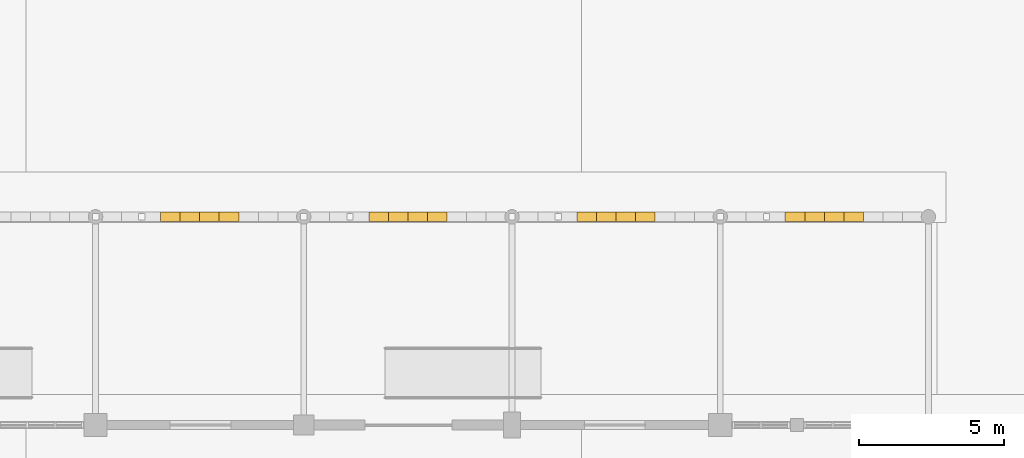
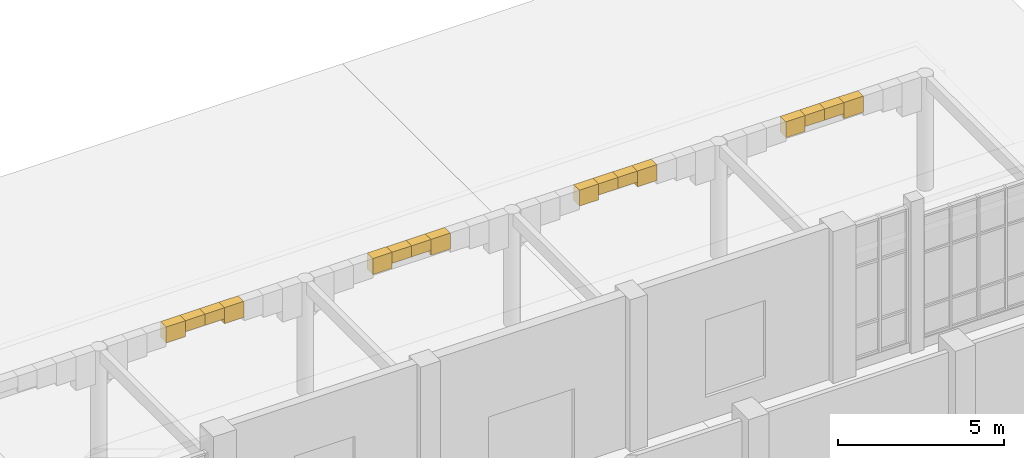
# One storey, part 85 of 85: 16 coverings.
"""IFC4 building model written with IfcOpenShell, lengths in metres."""

from ifc_helpers import new_model, si_unit, direction, frame, frame_2d, origin, place, context, subcontext, project, spatial, rectangle, extrude, material, layer, layer_set, type_object, element, save


model = new_model("IFC4")

# Units and contexts
model_context = context("Model", 3, precision=1e-05, world=origin(), true_north=direction((0.0, 1.0)))
body_context = subcontext(model_context, "Body", "Model", "MODEL_VIEW")
ifc_project = project(units=[si_unit("LENGTHUNIT", "METRE"), si_unit("AREAUNIT", "SQUARE_METRE"), si_unit("VOLUMEUNIT", "CUBIC_METRE"), si_unit("PLANEANGLEUNIT", "RADIAN"), si_unit("MASSUNIT", "GRAM", prefix="KILO")], contexts=[model_context])

# Site, building, storey
site_placement = place(None, origin())
site = spatial("IfcSite", under=ifc_project, at=site_placement, CompositionType="ELEMENT")
building_placement = place(site_placement, origin())
building = spatial("IfcBuilding", under=site, at=building_placement, Name="Sardonyx Promenade Sports Hall", CompositionType="ELEMENT")
storey_placement = place(building_placement, origin())
storey = spatial("IfcBuildingStorey", under=building, at=storey_placement, Name="L00", CompositionType="ELEMENT", Elevation=0.0)

# Coverings
ifc_material = material(Name="Carved Cape red sandstone ashlar", Category="masonry")
ifc_layer = layer(ifc_material, 0.239990234375)
ifc_layer_set = layer_set([ifc_layer], Name="Cov_Mughal_Arch")
covering_type = type_object("IfcCoveringType", Name="Cov_Mughal_Arch", PredefinedType="CLADDING", material=ifc_layer_set)
covering_1_placement = place(storey_placement, frame((131.847900390625, 93.60009765625, 3.63330078125), z_axis=(0.0, 0.0, 1.0), x_axis=(1.0, 0.0, 0.0)))
element("IfcCovering", 1, at=covering_1_placement, inside=storey, type_object=covering_type, Name="Mughal pointed-arch spandrel L00 cov:arch:ne:3 #4", PredefinedType="CLADDING", context=body_context, shape_type="SweptSolid", body=[
    extrude(rectangle(XDim=0.676025390625, YDim=0.340087890625, at=frame_2d((0.337890625, 0.0))), origin(), (0.0, 0.0, 1.0), 0.586669921875),
])
for number, where, z_axis, x_axis, name in (
    (2, (132.52392578125, 93.60009765625, 3.81103515625), (0.0, 0.0, 1.0), (1.0, 0.0, 0.0), "Mughal pointed-arch spandrel L00 cov:arch:ne:3 #5"),
    (3, (133.199951171875, 93.60009765625, 3.81103515625), (0.0, 0.0, 1.0), (1.0, 0.0, 0.0), "Mughal pointed-arch spandrel L00 cov:arch:ne:3 #6"),
):
    element("IfcCovering", number, at=place(storey_placement, frame(where, z_axis=z_axis, x_axis=x_axis)), inside=storey, type_object=covering_type, Name=name, PredefinedType="CLADDING", context=body_context, shape_type="SweptSolid", body=[
        extrude(rectangle(XDim=0.676025390625, YDim=0.340087890625, at=frame_2d((0.337890625, 0.0))), origin(), (0.0, 0.0, 1.0), 0.408935546875),
    ])
for number, where, z_axis, x_axis, name in (
    (4, (133.8759765625, 93.60009765625, 3.63330078125), (0.0, 0.0, 1.0), (1.0, 0.0, 0.0), "Mughal pointed-arch spandrel L00 cov:arch:ne:3 #7"),
    (5, (139.048095703125, 93.60009765625, 3.63330078125), (0.0, 0.0, 1.0), (1.0, 0.0, 0.0), "Mughal pointed-arch spandrel L00 cov:arch:ne:4 #4"),
):
    element("IfcCovering", number, at=place(storey_placement, frame(where, z_axis=z_axis, x_axis=x_axis)), inside=storey, type_object=covering_type, Name=name, PredefinedType="CLADDING", context=body_context, shape_type="SweptSolid", body=[
        extrude(rectangle(XDim=0.676025390625, YDim=0.340087890625, at=frame_2d((0.337890625, 0.0))), origin(), (0.0, 0.0, 1.0), 0.586669921875),
    ])
covering_2_placement = place(storey_placement, frame((139.72412109375, 93.60009765625, 3.81103515625), z_axis=(0.0, 0.0, 1.0), x_axis=(1.0, 0.0, 0.0)))
element("IfcCovering", 6, at=covering_2_placement, inside=storey, type_object=covering_type, Name="Mughal pointed-arch spandrel L00 cov:arch:ne:4 #5", PredefinedType="CLADDING", context=body_context, shape_type="SweptSolid", body=[
    extrude(rectangle(XDim=0.67578125, YDim=0.340087890625, at=frame_2d((0.337890625, 0.0))), origin(), (0.0, 0.0, 1.0), 0.408935546875),
])
covering_3_placement = place(storey_placement, frame((140.39990234375, 93.60009765625, 3.81103515625), z_axis=(0.0, 0.0, 1.0), x_axis=(1.0, 0.0, 0.0)))
element("IfcCovering", 7, at=covering_3_placement, inside=storey, type_object=covering_type, Name="Mughal pointed-arch spandrel L00 cov:arch:ne:4 #6", PredefinedType="CLADDING", context=body_context, shape_type="SweptSolid", body=[
    extrude(rectangle(XDim=0.676025390625, YDim=0.340087890625, at=frame_2d((0.337890625, 0.0))), origin(), (0.0, 0.0, 1.0), 0.408935546875),
])
for number, where, z_axis, x_axis, name in (
    (8, (141.075927734375, 93.60009765625, 3.63330078125), (0.0, 0.0, 1.0), (1.0, 0.0, 0.0), "Mughal pointed-arch spandrel L00 cov:arch:ne:4 #7"),
    (9, (146.248046875, 93.60009765625, 3.63330078125), (0.0, 0.0, 1.0), (1.0, 0.0, 0.0), "Mughal pointed-arch spandrel L00 cov:arch:ne:5 #4"),
):
    element("IfcCovering", number, at=place(storey_placement, frame(where, z_axis=z_axis, x_axis=x_axis)), inside=storey, type_object=covering_type, Name=name, PredefinedType="CLADDING", context=body_context, shape_type="SweptSolid", body=[
        extrude(rectangle(XDim=0.676025390625, YDim=0.340087890625, at=frame_2d((0.337890625, 0.0))), origin(), (0.0, 0.0, 1.0), 0.586669921875),
    ])
covering_4_placement = place(storey_placement, frame((146.924072265625, 93.60009765625, 3.81103515625), z_axis=(0.0, 0.0, 1.0), x_axis=(1.0, 0.0, 0.0)))
element("IfcCovering", 10, at=covering_4_placement, inside=storey, type_object=covering_type, Name="Mughal pointed-arch spandrel L00 cov:arch:ne:5 #5", PredefinedType="CLADDING", context=body_context, shape_type="SweptSolid", body=[
    extrude(rectangle(XDim=0.676025390625, YDim=0.340087890625, at=frame_2d((0.337890625, 0.0))), origin(), (0.0, 0.0, 1.0), 0.408935546875),
])
covering_5_placement = place(storey_placement, frame((147.60009765625, 93.60009765625, 3.81103515625), z_axis=(0.0, 0.0, 1.0), x_axis=(1.0, 0.0, 0.0)))
element("IfcCovering", 11, at=covering_5_placement, inside=storey, type_object=covering_type, Name="Mughal pointed-arch spandrel L00 cov:arch:ne:5 #6", PredefinedType="CLADDING", context=body_context, shape_type="SweptSolid", body=[
    extrude(rectangle(XDim=0.67578125, YDim=0.340087890625, at=frame_2d((0.337890625, 0.0))), origin(), (0.0, 0.0, 1.0), 0.408935546875),
])
for number, where, z_axis, x_axis, name in (
    (12, (148.27587890625, 93.60009765625, 3.63330078125), (0.0, 0.0, 1.0), (1.0, 0.0, 0.0), "Mughal pointed-arch spandrel L00 cov:arch:ne:5 #7"),
    (13, (153.447998046875, 93.60009765625, 3.63330078125), (0.0, 0.0, 1.0), (1.0, 0.0, 0.0), "Mughal pointed-arch spandrel L00 cov:arch:ne:6 #4"),
):
    element("IfcCovering", number, at=place(storey_placement, frame(where, z_axis=z_axis, x_axis=x_axis)), inside=storey, type_object=covering_type, Name=name, PredefinedType="CLADDING", context=body_context, shape_type="SweptSolid", body=[
        extrude(rectangle(XDim=0.676025390625, YDim=0.340087890625, at=frame_2d((0.337890625, 0.0))), origin(), (0.0, 0.0, 1.0), 0.586669921875),
    ])
for number, where, z_axis, x_axis, name in (
    (14, (154.1240234375, 93.60009765625, 3.81103515625), (0.0, 0.0, 1.0), (1.0, 0.0, 0.0), "Mughal pointed-arch spandrel L00 cov:arch:ne:6 #5"),
    (15, (154.800048828125, 93.60009765625, 3.81103515625), (0.0, 0.0, 1.0), (1.0, 0.0, 0.0), "Mughal pointed-arch spandrel L00 cov:arch:ne:6 #6"),
):
    element("IfcCovering", number, at=place(storey_placement, frame(where, z_axis=z_axis, x_axis=x_axis)), inside=storey, type_object=covering_type, Name=name, PredefinedType="CLADDING", context=body_context, shape_type="SweptSolid", body=[
        extrude(rectangle(XDim=0.676025390625, YDim=0.340087890625, at=frame_2d((0.337890625, 0.0))), origin(), (0.0, 0.0, 1.0), 0.408935546875),
    ])
covering_6_placement = place(storey_placement, frame((155.47607421875, 93.60009765625, 3.63330078125), z_axis=(0.0, 0.0, 1.0), x_axis=(1.0, 0.0, 0.0)))
element("IfcCovering", 16, at=covering_6_placement, inside=storey, type_object=covering_type, Name="Mughal pointed-arch spandrel L00 cov:arch:ne:6 #7", PredefinedType="CLADDING", context=body_context, shape_type="SweptSolid", body=[
    extrude(rectangle(XDim=0.676025390625, YDim=0.340087890625, at=frame_2d((0.337890625, 0.0))), origin(), (0.0, 0.0, 1.0), 0.586669921875),
])

save(model, "model.ifc")
